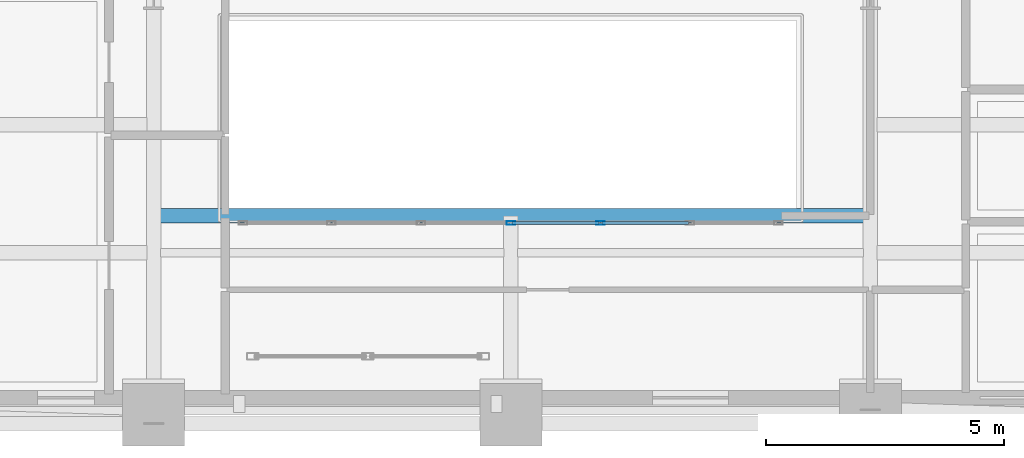
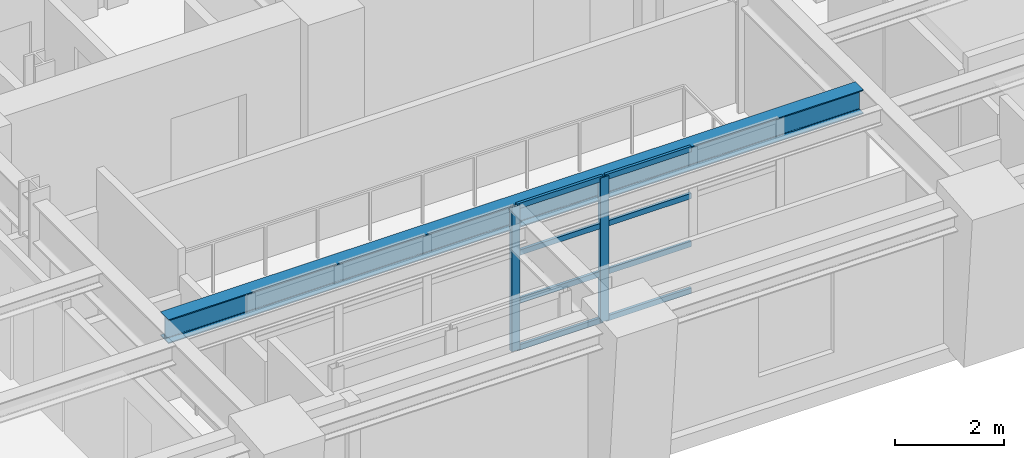
# One storey, part 3 of 16: 10 members, 1 beam, 1 element without a shape of its own.
"""IFC4 building model written with IfcOpenShell, lengths in metres."""

import ifcopenshell
import ifcopenshell.guid

model = None  # the IFC model being written
_history = None  # IfcOwnerHistory: only IFC2X3 demands one
_inside = {}  # id of a spatial element -> (the spatial element, [elements in it])
_under = {}  # id of a project, library or spatial element -> (it, [spatial elements below it])
_declared = {}  # id of a project -> (the project, [libraries it declares])
_typed = {}  # id of a type object -> (the type object, [elements of that type])
_made_of = {}  # id of a material, layer set ... -> (it, [elements and type objects made of it])


def new_model(schema):
    """Start an empty IFC model of exactly this schema.

    Asked for "IFC4X3", IfcOpenShell would pick the latest addendum, in which some entities
    have other attributes; the version numbers below select the first issue.
    IFC2X3 requires an IfcOwnerHistory on every rooted entity: one is made here for all.
    """
    global model, _history
    if schema == "IFC4X3":
        model = ifcopenshell.file(schema_version=(4, 3, 0, 0))
    else:
        model = ifcopenshell.file(schema=schema)
    _inside.clear()
    _under.clear()
    _declared.clear()
    _typed.clear()
    _made_of.clear()
    _history = None
    if model.schema == "IFC2X3":
        org = make("IfcOrganization", Name="unknown")
        user = make(
            "IfcPersonAndOrganization",
            ThePerson=make("IfcPerson", FamilyName="unknown"),
            TheOrganization=org,
        )
        app = make(
            "IfcApplication",
            ApplicationDeveloper=org,
            Version="unknown",
            ApplicationFullName="unknown",
            ApplicationIdentifier="unknown",
        )
        _history = make(
            "IfcOwnerHistory",
            OwningUser=user,
            OwningApplication=app,
            ChangeAction="ADDED",
            CreationDate=0,
        )
    return model


def make(cls, **values):
    """One entity of the class cls with the attributes given. An attribute that is None is left unset."""
    return model.create_entity(
        cls, **{name: value for name, value in values.items() if value is not None}
    )


def rooted(cls, **values):
    """An entity with a GlobalId (a new one), such as an element, a storey or a relation."""
    return make(cls, GlobalId=ifcopenshell.guid.new(), OwnerHistory=_history, **values)


def si_unit(unit_type, name, prefix=None):
    """IfcSIUnit, for example si_unit("LENGTHUNIT", "METRE", prefix="MILLI")."""
    return make("IfcSIUnit", UnitType=unit_type, Prefix=prefix, Name=name)


def assignment(units):
    """IfcUnitAssignment: the units of a project."""
    return None if units is None else make("IfcUnitAssignment", Units=units)


def point(xyz):
    """IfcCartesianPoint."""
    return None if xyz is None else make("IfcCartesianPoint", Coordinates=xyz)


def direction(xyz):
    """IfcDirection."""
    return None if xyz is None else make("IfcDirection", DirectionRatios=xyz)


def frame(location, z_axis=None, x_axis=None):
    """IfcAxis2Placement3D, a coordinate frame: its origin and axes. An axis left out is left unset."""
    return make(
        "IfcAxis2Placement3D",
        Location=point(location),
        Axis=direction(z_axis),
        RefDirection=direction(x_axis),
    )


def frame_2d(location, x_axis=None):
    """IfcAxis2Placement2D, a coordinate frame in the plane: its origin and x axis."""
    return make(
        "IfcAxis2Placement2D", Location=point(location), RefDirection=direction(x_axis)
    )


def origin():
    """The frame at (0, 0, 0) with its axes left unset."""
    return frame((0.0, 0.0, 0.0))


def origin_2d():
    """The frame at (0, 0) in the plane with its x axis left unset."""
    return frame_2d((0.0, 0.0))


def place(relative_to, where):
    """IfcLocalPlacement: puts the frame where relative to a parent placement (None: the world)."""
    return make(
        "IfcLocalPlacement", PlacementRelTo=relative_to, RelativePlacement=where
    )


def context(
    kind, dimensions, precision=None, world=None, true_north=None, identifier=None
):
    """IfcGeometricRepresentationContext, for example the 3D "Model" context."""
    return make(
        "IfcGeometricRepresentationContext",
        ContextIdentifier=identifier,
        ContextType=kind,
        CoordinateSpaceDimension=dimensions,
        Precision=precision,
        WorldCoordinateSystem=world,
        TrueNorth=true_north,
    )


def subcontext(parent, identifier, kind, view, scale=None):
    """IfcGeometricRepresentationSubContext, for example "Body" below "Model"."""
    return make(
        "IfcGeometricRepresentationSubContext",
        ContextIdentifier=identifier,
        ContextType=kind,
        ParentContext=parent,
        TargetScale=scale,
        TargetView=view,
    )


def project(units=None, contexts=None):
    """IfcProject with its units and contexts."""
    return rooted(
        "IfcProject",
        Name="project",
        RepresentationContexts=contexts,
        UnitsInContext=assignment(units),
    )


def spatial(cls, under=None, at=None, **own):
    """A site, building, storey or space (cls), placed at a placement, below another one or the project."""
    s = rooted(cls, ObjectPlacement=at, **own)
    if under is not None:
        _under.setdefault(under.id(), (under, []))[1].append(s)
    return s


def profile(cls, at=None, kind="AREA", **sizes):
    """A parametric profile (cls). Its sizes go by their IFC names, for example OverallWidth=200.0."""
    return make(cls, ProfileType=kind, Position=at, **sizes)


def hollow_rectangle(**sizes):
    """IfcRectangleHollowProfileDef."""
    return profile("IfcRectangleHollowProfileDef", **sizes)


def i_section(**sizes):
    """IfcIShapeProfileDef."""
    return profile("IfcIShapeProfileDef", **sizes)


def extrude(swept, where, along, depth):
    """IfcExtrudedAreaSolid: the profile swept, set in the frame where, extruded along a direction by depth."""
    return make(
        "IfcExtrudedAreaSolid",
        SweptArea=swept,
        Position=where,
        ExtrudedDirection=direction(along),
        Depth=depth,
    )


def shape(context_of_items, identifier, shape_type, items):
    """IfcShapeRepresentation: the items that make up one representation, for example the "Body"."""
    return make(
        "IfcShapeRepresentation",
        ContextOfItems=context_of_items,
        RepresentationIdentifier=identifier,
        RepresentationType=shape_type,
        Items=items,
    )


def material(Name=None, Category=None):
    """IfcMaterial."""
    return make("IfcMaterial", Name=Name, Category=Category)


def layer(
    of_material, thickness, ventilated=None, Name=None, Category=None, Priority=None
):
    """IfcMaterialLayer: one layer of a wall or slab, of a material (None: an air gap)."""
    return make(
        "IfcMaterialLayer",
        Material=of_material,
        LayerThickness=thickness,
        IsVentilated=ventilated,
        Name=Name,
        Category=Category,
        Priority=Priority,
    )


def layer_set(layers, Name=None):
    """IfcMaterialLayerSet."""
    return make("IfcMaterialLayerSet", MaterialLayers=layers, LayerSetName=Name)


def material_profile(
    of_material, cross_section, Name=None, Category=None, Priority=None
):
    """IfcMaterialProfile: a cross section and its material."""
    return make(
        "IfcMaterialProfile",
        Name=Name,
        Material=of_material,
        Profile=cross_section,
        Priority=Priority,
        Category=Category,
    )


def profile_set(profiles, Name=None, composite=None):
    """IfcMaterialProfileSet."""
    return make(
        "IfcMaterialProfileSet",
        Name=Name,
        MaterialProfiles=profiles,
        CompositeProfile=composite,
    )


def made_of(thing, what):
    """Note that an element or type object is made of a material, layer set ...; save() writes the relation."""
    if what is not None:
        _made_of.setdefault(what.id(), (what, []))[1].append(thing)
    return thing


def type_object(cls, material=None, **own):
    """A type object (cls), such as IfcWallType, which elements share."""
    return made_of(rooted(cls, **own), material)


def element(
    cls,
    number,
    at=None,
    inside=None,
    cuts=None,
    type_object=None,
    material=None,
    context=None,
    identifier="Body",
    shape_type=None,
    held_by="IfcProductDefinitionShape",
    body=None,
    shapes=None,
    **own,
):
    """One element of the class cls, such as IfcWall. Its Tag is "e" and its number.

    at: its placement. inside: the storey or other place that contains it. cuts: it is an
    opening in that element (IfcRelVoidsElement). A single representation is given by context,
    identifier, shape_type and body (its items); several are given by shapes. held_by: the class
    of the entity that holds the representations. save() writes the other relations.
    """
    e = rooted(cls, Tag="e%d" % number, ObjectPlacement=at, **own)
    if body is not None:
        shapes = [shape(context, identifier, shape_type, body)]
    if shapes is not None:
        e.Representation = make(held_by, Representations=shapes)
    if inside is not None:
        _inside.setdefault(inside.id(), (inside, []))[1].append(e)
    if cuts is not None:
        rooted(
            "IfcRelVoidsElement", RelatingBuildingElement=cuts, RelatedOpeningElement=e
        )
    if type_object is not None:
        _typed.setdefault(type_object.id(), (type_object, []))[1].append(e)
    return made_of(e, material)


def aggregate(whole, parts):
    """IfcRelAggregates: a whole, such as a stair, and the parts it consists of."""
    return rooted("IfcRelAggregates", RelatingObject=whole, RelatedObjects=parts)


def save(model, path):
    """Write the relations noted so far, then the file.

    IfcRelAggregates (storeys below a building ...), IfcRelContainedInSpatialStructure (elements
    in a storey), IfcRelDefinesByType, IfcRelAssociatesMaterial and IfcRelDeclares: one each for
    every whole, place, type object, material and project.
    """
    for whole, parts in _under.values():
        aggregate(whole, parts)
    for where, things in _inside.values():
        rooted(
            "IfcRelContainedInSpatialStructure",
            RelatedElements=things,
            RelatingStructure=where,
        )
    for kind, things in _typed.values():
        rooted("IfcRelDefinesByType", RelatedObjects=things, RelatingType=kind)
    for what, things in _made_of.values():
        rooted("IfcRelAssociatesMaterial", RelatedObjects=things, RelatingMaterial=what)
    for by, libraries in _declared.values():
        rooted("IfcRelDeclares", RelatingContext=by, RelatedDefinitions=libraries)
    model.write(path)


model = new_model("IFC4")

# Units and contexts
model_context = context("Model", 3, precision=1e-05, world=origin(), true_north=direction((0.0, 1.0)))
body_context = subcontext(model_context, "Body", "Model", "MODEL_VIEW")
ifc_project = project(units=[si_unit("LENGTHUNIT", "METRE"), si_unit("AREAUNIT", "SQUARE_METRE"), si_unit("VOLUMEUNIT", "CUBIC_METRE"), si_unit("PLANEANGLEUNIT", "RADIAN"), si_unit("MASSUNIT", "GRAM", prefix="KILO")], contexts=[model_context])

# Site, building, storey
site_placement = place(None, origin())
site = spatial("IfcSite", under=ifc_project, at=site_placement, CompositionType="ELEMENT")
building_placement = place(site_placement, origin())
building = spatial("IfcBuilding", under=site, at=building_placement, Name="Zarnavel Station Tower", CompositionType="ELEMENT")
storey_placement = place(building_placement, frame((0.0, 0.0, 104.800048828125)))
storey = spatial("IfcBuildingStorey", under=building, at=storey_placement, Name="L28", CompositionType="ELEMENT", Elevation=104.800048828125)

# Curtain wall, members
ifc_material_1 = material(Name="Aluminium Dark Anodised and Solar-Control Glass", Category="aluminium")
ifc_layer = layer(ifc_material_1, 0.179931640625)
ifc_layer_set = layer_set([ifc_layer], Name="CWS3")
curtain_wall_type = type_object("IfcCurtainWallType", Name="CWS3", PredefinedType="NOTDEFINED", material=ifc_layer_set)
curtain_wall_placement = place(storey_placement, origin())
curtain_wall = element("IfcCurtainWall", 1, at=curtain_wall_placement, inside=storey, type_object=curtain_wall_type, Name="L28 Curtain Wall CWS3-L28-AS", PredefinedType="NOTDEFINED")
ifc_material_2 = material(Name="Steel S355J2 (Black Fluoropolymer Coated)", Category="steel")
ifc_material_profile_1 = material_profile(ifc_material_2, hollow_rectangle(XDim=0.080078125, YDim=0.179931640625, WallThickness=0.00634765625, at=origin_2d()), Name="RHS180x80x6.3")
ifc_profile_set_1 = profile_set([ifc_material_profile_1], Name="Steel S355J2 (Black Fluoropolymer Coated)")
member_type_1 = type_object("IfcMemberType", Name="CWS3_MUL", PredefinedType="MULLION", material=ifc_profile_set_1)
member_1_placement = place(storey_placement, frame((28.800048828125, 20.64990234375, 0.0), z_axis=(0.0, 0.0, 1.0), x_axis=(0.0, 1.0, 0.0)))
member_1 = element("IfcMember", 2, at=member_1_placement, type_object=member_type_1, Name="CW3 mullion 4", PredefinedType="MULLION", context=body_context, shape_type="SweptSolid", body=[
    extrude(hollow_rectangle(XDim=0.080078125, YDim=0.179931640625, WallThickness=0.00634765625, at=origin_2d()), origin(), (0.0, 0.0, 1.0), 3.239990234375),
])
member_2_placement = place(storey_placement, frame((30.683349609375, 20.64990234375, 0.0), z_axis=(0.0, 0.0, 1.0), x_axis=(0.0, 1.0, 0.0)))
member_2 = element("IfcMember", 3, at=member_2_placement, type_object=member_type_1, Name="CW3 mullion 5", PredefinedType="MULLION", context=body_context, shape_type="SweptSolid", body=[
    extrude(hollow_rectangle(XDim=0.080078125, YDim=0.179931640625, WallThickness=0.00634765625, at=origin_2d()), origin(), (0.0, 0.0, 1.0), 3.239990234375),
])
ifc_material_3 = material(Name="Steel S355J2 (Black Fluoropolymer Coated)", Category="steel")
ifc_material_profile_2 = material_profile(ifc_material_3, hollow_rectangle(XDim=0.06005859375, YDim=0.1201171875, WallThickness=0.0048828125, at=origin_2d()), Name="RHS120x60x5")
ifc_profile_set_2 = profile_set([ifc_material_profile_2], Name="Steel S355J2 (Black Fluoropolymer Coated)")
member_type_2 = type_object("IfcMemberType", Name="CWS3_TRN", PredefinedType="USERDEFINED", material=ifc_profile_set_2)
member_3_placement = place(storey_placement, frame((28.830078125, 20.64990234375, 0.030029296875), z_axis=(1.0, 0.0, 0.0), x_axis=(0.0, 1.0, 0.0)))
member_3 = element("IfcMember", 4, at=member_3_placement, type_object=member_type_2, Name="CW3 transom 4.1", ObjectType="TRANSOM", PredefinedType="USERDEFINED", context=body_context, shape_type="SweptSolid", body=[
    extrude(hollow_rectangle(XDim=0.06005859375, YDim=0.1201171875, WallThickness=0.0048828125, at=origin_2d()), origin(), (0.0, 0.0, 1.0), 1.8232421875),
])
member_4_placement = place(storey_placement, frame((28.830078125, 20.64990234375, 1.079833984375), z_axis=(1.0, 0.0, 0.0), x_axis=(0.0, 1.0, 0.0)))
member_4 = element("IfcMember", 5, at=member_4_placement, type_object=member_type_2, Name="CW3 transom 4.2", ObjectType="TRANSOM", PredefinedType="USERDEFINED", context=body_context, shape_type="SweptSolid", body=[
    extrude(hollow_rectangle(XDim=0.06005859375, YDim=0.1201171875, WallThickness=0.0048828125, at=origin_2d()), origin(), (0.0, 0.0, 1.0), 1.8232421875),
])
member_5_placement = place(storey_placement, frame((28.830078125, 20.64990234375, 2.159912109375), z_axis=(1.0, 0.0, 0.0), x_axis=(0.0, 1.0, 0.0)))
member_5 = element("IfcMember", 6, at=member_5_placement, type_object=member_type_2, Name="CW3 transom 4.3", ObjectType="TRANSOM", PredefinedType="USERDEFINED", context=body_context, shape_type="SweptSolid", body=[
    extrude(hollow_rectangle(XDim=0.06005859375, YDim=0.1201171875, WallThickness=0.0048828125, at=origin_2d()), origin(), (0.0, 0.0, 1.0), 1.8232421875),
])
member_6_placement = place(storey_placement, frame((28.830078125, 20.64990234375, 3.2099609375), z_axis=(1.0, 0.0, 0.0), x_axis=(0.0, 1.0, 0.0)))
member_6 = element("IfcMember", 7, at=member_6_placement, type_object=member_type_2, Name="CW3 transom 4.4", ObjectType="TRANSOM", PredefinedType="USERDEFINED", context=body_context, shape_type="SweptSolid", body=[
    extrude(hollow_rectangle(XDim=0.06005859375, YDim=0.1201171875, WallThickness=0.0048828125, at=origin_2d()), origin(), (0.0, 0.0, 1.0), 1.8232421875),
])
member_7_placement = place(storey_placement, frame((30.71337890625, 20.64990234375, 0.030029296875), z_axis=(1.0, 0.0, 0.0), x_axis=(0.0, 1.0, 0.0)))
member_7 = element("IfcMember", 8, at=member_7_placement, type_object=member_type_2, Name="CW3 transom 5.1", ObjectType="TRANSOM", PredefinedType="USERDEFINED", context=body_context, shape_type="SweptSolid", body=[
    extrude(hollow_rectangle(XDim=0.06005859375, YDim=0.1201171875, WallThickness=0.0048828125, at=origin_2d()), origin(), (0.0, 0.0, 1.0), 1.8232421875),
])
member_8_placement = place(storey_placement, frame((30.71337890625, 20.64990234375, 1.079833984375), z_axis=(1.0, 0.0, 0.0), x_axis=(0.0, 1.0, 0.0)))
member_8 = element("IfcMember", 9, at=member_8_placement, type_object=member_type_2, Name="CW3 transom 5.2", ObjectType="TRANSOM", PredefinedType="USERDEFINED", context=body_context, shape_type="SweptSolid", body=[
    extrude(hollow_rectangle(XDim=0.06005859375, YDim=0.1201171875, WallThickness=0.0048828125, at=origin_2d()), origin(), (0.0, 0.0, 1.0), 1.8232421875),
])
member_9_placement = place(storey_placement, frame((30.71337890625, 20.64990234375, 2.159912109375), z_axis=(1.0, 0.0, 0.0), x_axis=(0.0, 1.0, 0.0)))
member_9 = element("IfcMember", 10, at=member_9_placement, type_object=member_type_2, Name="CW3 transom 5.3", ObjectType="TRANSOM", PredefinedType="USERDEFINED", context=body_context, shape_type="SweptSolid", body=[
    extrude(hollow_rectangle(XDim=0.06005859375, YDim=0.1201171875, WallThickness=0.0048828125, at=origin_2d()), origin(), (0.0, 0.0, 1.0), 1.8232421875),
])
member_10_placement = place(storey_placement, frame((30.71337890625, 20.64990234375, 3.2099609375), z_axis=(1.0, 0.0, 0.0), x_axis=(0.0, 1.0, 0.0)))
member_10 = element("IfcMember", 11, at=member_10_placement, type_object=member_type_2, Name="CW3 transom 5.4", ObjectType="TRANSOM", PredefinedType="USERDEFINED", context=body_context, shape_type="SweptSolid", body=[
    extrude(hollow_rectangle(XDim=0.06005859375, YDim=0.1201171875, WallThickness=0.0048828125, at=origin_2d()), origin(), (0.0, 0.0, 1.0), 1.8232421875),
])
aggregate(curtain_wall, [member_1, member_2, member_3, member_4, member_5, member_6, member_7, member_8, member_9, member_10])

# Beam
ifc_material_4 = material(Name="Steel S355J2", Category="steel")
ifc_material_profile_3 = material_profile(ifc_material_4, i_section(OverallWidth=0.300048828125, OverallDepth=0.5400390625, WebThickness=0.012451171875, FlangeThickness=0.02392578125, FilletRadius=0.027099609375, at=origin_2d()), Name="HEA550")
ifc_profile_set_3 = profile_set([ifc_material_profile_3], Name="Steel S355J2")
beam_type = type_object("IfcBeamType", Name="FB_HEA550", PredefinedType="BEAM", material=ifc_profile_set_3)
beam_placement = place(storey_placement, frame((21.445068359375, 20.800048828125, 2.969970703125), z_axis=(1.0, 0.0, 0.0), x_axis=(0.0, 1.0, 0.0)))
element("IfcBeam", 12, at=beam_placement, inside=storey, type_object=beam_type, Name="L28 Atrium South Edge Girder", PredefinedType="BEAM", context=body_context, shape_type="SweptSolid", body=[
    extrude(i_section(OverallWidth=0.300048828125, OverallDepth=0.5400390625, WebThickness=0.012451171875, FlangeThickness=0.02392578125, FilletRadius=0.027099609375, at=origin_2d()), origin(), (0.0, 0.0, 1.0), 14.760009765625),
])

save(model, "model.ifc")
